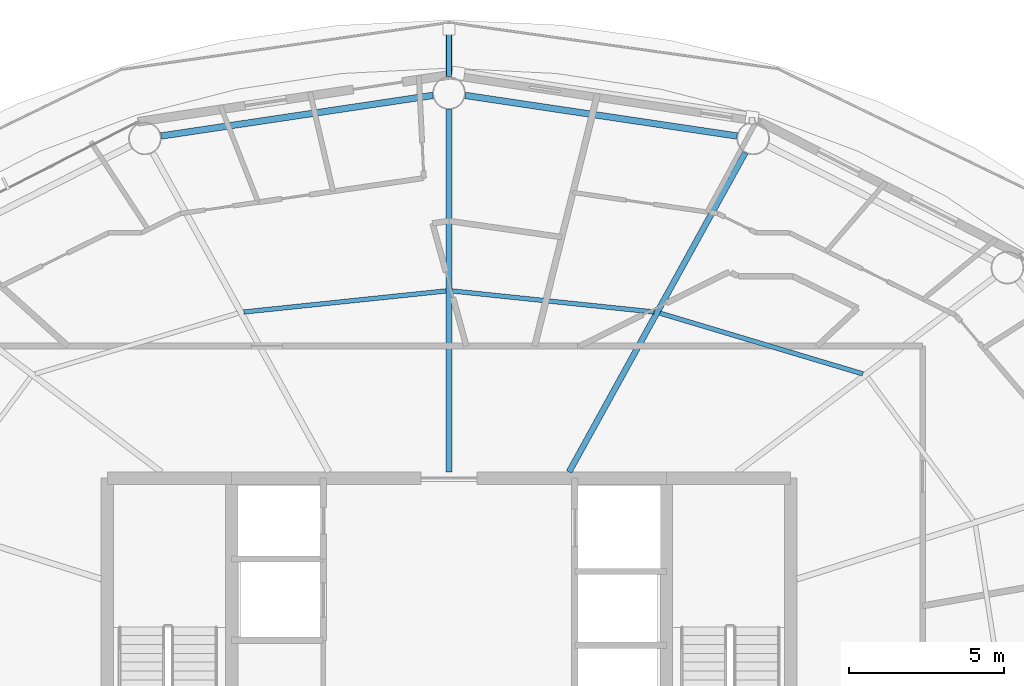
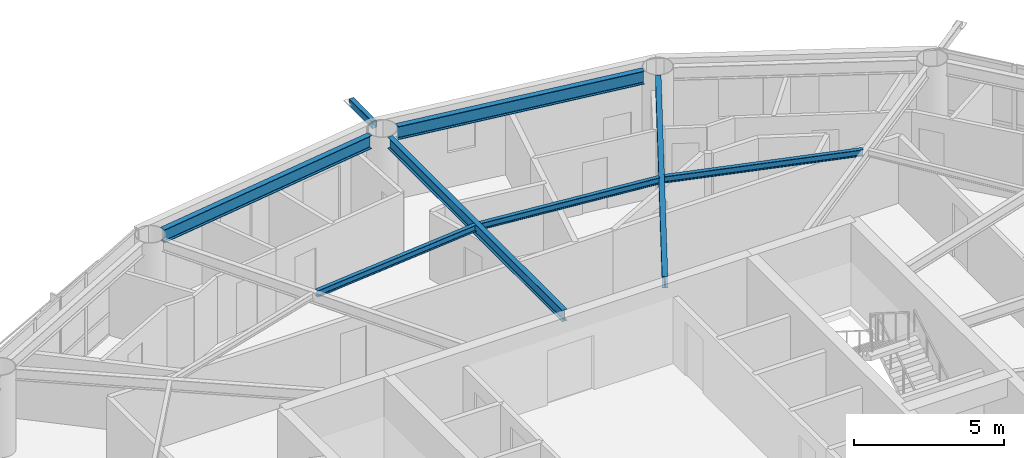
# One storey, part 10 of 23: 7 beams, 1 member.
"""IFC4 building model written with IfcOpenShell, lengths in metres."""

from ifc_helpers import new_model, si_unit, direction, frame, origin, origin_2d, place, context, subcontext, project, spatial, hollow_rectangle, i_section, extrude, material, material_profile, profile_set, type_object, element, save


model = new_model("IFC4")

# Units and contexts
model_context = context("Model", 3, precision=1e-05, world=origin(), true_north=direction((0.0, 1.0)))
body_context = subcontext(model_context, "Body", "Model", "MODEL_VIEW")
ifc_project = project(units=[si_unit("LENGTHUNIT", "METRE"), si_unit("AREAUNIT", "SQUARE_METRE"), si_unit("VOLUMEUNIT", "CUBIC_METRE"), si_unit("PLANEANGLEUNIT", "RADIAN"), si_unit("MASSUNIT", "GRAM", prefix="KILO")], contexts=[model_context])

# Site, building, storey
site_placement = place(None, origin())
site = spatial("IfcSite", under=ifc_project, at=site_placement, CompositionType="ELEMENT")
building_placement = place(site_placement, origin())
building = spatial("IfcBuilding", under=site, at=building_placement, Name="Sarneth Arch Tower", CompositionType="ELEMENT")
storey_placement = place(building_placement, frame((0.0, 0.0, 246.0)))
storey = spatial("IfcBuildingStorey", under=building, at=storey_placement, Name="L63", CompositionType="ELEMENT", Elevation=246.0)

# Beams
ifc_material_1 = material(Name="Steel S355", Category="steel")
ifc_material_profile_1 = material_profile(ifc_material_1, i_section(OverallWidth=0.14794921875, OverallDepth=0.26611328125, WebThickness=0.007568359375, FlangeThickness=0.012939453125, FilletRadius=0.012939453125, at=origin_2d()), Name="W250x44.8")
ifc_profile_set_1 = profile_set([ifc_material_profile_1], Name="Steel S355")
beam_type_1 = type_object("IfcBeamType", Name="BM-JOIST-250", PredefinedType="JOIST", material=ifc_profile_set_1)
beam_1_placement = place(storey_placement, frame((61.320068359375, 52.157470703125, 3.22705078125), z_axis=(-0.957984908347, 0.286818610589, 0.0), x_axis=(-0.286818610589, -0.957984908347, 0.0)))
element("IfcBeam", 1, at=beam_1_placement, inside=storey, type_object=beam_type_1, Name="L63 Secondary floor joist 03", PredefinedType="JOIST", context=body_context, shape_type="SweptSolid", body=[
    extrude(i_section(OverallWidth=0.14794921875, OverallDepth=0.26611328125, WebThickness=0.007568359375, FlangeThickness=0.012939453125, FilletRadius=0.012939453125, at=origin_2d()), origin(), (0.0, 0.0, 1.0), 6.81396484375),
])
for number, where, z_axis, x_axis, name in (
    (2, (54.60498046875, 54.1494140625, 3.22705078125), (-0.994616086198, 0.103628379682, 0.0), (-0.103628379682, -0.994616086198, 0.0), "L63 Secondary floor joist 04"),
    (3, (47.904541015625, 54.82763671875, 3.22705078125), (-0.994616086198, -0.103628379682, 0.0), (0.103628379682, -0.994616086198, 0.0), "L63 Secondary floor joist 05"),
):
    element("IfcBeam", number, at=place(storey_placement, frame(where, z_axis=z_axis, x_axis=x_axis)), inside=storey, type_object=beam_type_1, Name=name, PredefinedType="JOIST", context=body_context, shape_type="SweptSolid", body=[
        extrude(i_section(OverallWidth=0.14794921875, OverallDepth=0.26611328125, WebThickness=0.007568359375, FlangeThickness=0.012939453125, FilletRadius=0.012939453125, at=origin_2d()), origin(), (0.0, 0.0, 1.0), 6.544677734375),
    ])
ifc_material_2 = material(Name="Steel S355", Category="steel")
ifc_material_profile_2 = material_profile(ifc_material_2, i_section(OverallWidth=0.19189453125, OverallDepth=0.462890625, WebThickness=0.010498046875, FlangeThickness=0.017578125, FilletRadius=0.01806640625, at=origin_2d()), Name="W460x89")
ifc_profile_set_2 = profile_set([ifc_material_profile_2], Name="Steel S355")
beam_type_2 = type_object("IfcBeamType", Name="BM-RAD-460B", PredefinedType="BEAM", material=ifc_profile_set_2)
beam_2_placement = place(storey_placement, frame((51.86376953125, 49.0, 3.12841796875), z_axis=(0.483225760768, 0.875495781903, 0.0), x_axis=(-0.875495781903, 0.483225760768, 0.0)))
element("IfcBeam", 4, at=beam_2_placement, inside=storey, type_object=beam_type_2, Name="L63 Radial floor girder 04", PredefinedType="BEAM", context=body_context, shape_type="SweptSolid", body=[
    extrude(i_section(OverallWidth=0.19189453125, OverallDepth=0.462890625, WebThickness=0.010498046875, FlangeThickness=0.017578125, FilletRadius=0.01806640625, at=origin_2d()), origin(), (0.0, 0.0, 1.0), 11.740478515625),
])
beam_3_placement = place(storey_placement, frame((48.0, 49.0, 3.12841796875), z_axis=(0.0, 1.0, 0.0), x_axis=(-1.0, 0.0, 0.0)))
element("IfcBeam", 5, at=beam_3_placement, inside=storey, type_object=beam_type_2, Name="L63 Radial floor girder 05", PredefinedType="BEAM", context=body_context, shape_type="SweptSolid", body=[
    extrude(i_section(OverallWidth=0.19189453125, OverallDepth=0.462890625, WebThickness=0.010498046875, FlangeThickness=0.017578125, FilletRadius=0.01806640625, at=origin_2d()), origin(), (0.0, 0.0, 1.0), 11.675048828125),
])
ifc_material_3 = material(Name="Steel S355", Category="steel")
ifc_material_profile_3 = material_profile(ifc_material_3, i_section(OverallWidth=0.2109375, OverallDepth=0.5390625, WebThickness=0.01171875, FlangeThickness=0.018798828125, FilletRadius=0.01806640625, at=origin_2d()), Name="W530x109")
ifc_profile_set_3 = profile_set([ifc_material_profile_3], Name="Steel S355")
beam_type_3 = type_object("IfcBeamType", Name="BM-RAD-530B", PredefinedType="BEAM", material=ifc_profile_set_3)
for number, where, z_axis, x_axis, name in (
    (6, (57.271484375, 59.81591796875, 3.090576171875), (-0.989038715098, 0.147656425652, 0.0), (-0.147656425652, -0.989038715098, 0.0), "L63 Perimeter spandrel beam 04"),
    (7, (47.480712890625, 61.12255859375, 3.090576171875), (-0.989038715098, -0.147656425652, 0.0), (0.147656425652, -0.989038715098, 0.0), "L63 Perimeter spandrel beam 05"),
):
    element("IfcBeam", number, at=place(storey_placement, frame(where, z_axis=z_axis, x_axis=x_axis)), inside=storey, type_object=beam_type_3, Name=name, PredefinedType="BEAM", context=body_context, shape_type="SweptSolid", body=[
        extrude(i_section(OverallWidth=0.2109375, OverallDepth=0.5390625, WebThickness=0.01171875, FlangeThickness=0.018798828125, FilletRadius=0.01806640625, at=origin_2d()), origin(), (0.0, 0.0, 1.0), 8.84912109375),
    ])

# Member
ifc_material_4 = material(Name="Steel S355", Category="steel")
ifc_material_profile_4 = material_profile(ifc_material_4, hollow_rectangle(XDim=0.199951171875, YDim=0.300048828125, WallThickness=0.012451171875, InnerFilletRadius=0.018798828125, OuterFilletRadius=0.03125, at=origin_2d()), Name="RHS300x200x12.5")
ifc_profile_set_4 = profile_set([ifc_material_profile_4], Name="Steel S355")
member_type = type_object("IfcMemberType", Name="MEM-CANT-STRUT", PredefinedType="STRUT", material=ifc_profile_set_4)
member_placement = place(storey_placement, frame((48.0, 61.72509765625, 3.199951171875), z_axis=(0.0, 1.0, 0.0), x_axis=(-1.0, 0.0, 0.0)))
element("IfcMember", 8, at=member_placement, inside=storey, type_object=member_type, Name="L63 Balcony cantilever bracket 05", PredefinedType="STRUT", context=body_context, shape_type="SweptSolid", body=[
    extrude(hollow_rectangle(XDim=0.199951171875, YDim=0.300048828125, WallThickness=0.012451171875, InnerFilletRadius=0.018798828125, OuterFilletRadius=0.03125, at=origin_2d()), origin(), (0.0, 0.0, 1.0), 1.525146484375),
])

save(model, "model.ifc")
